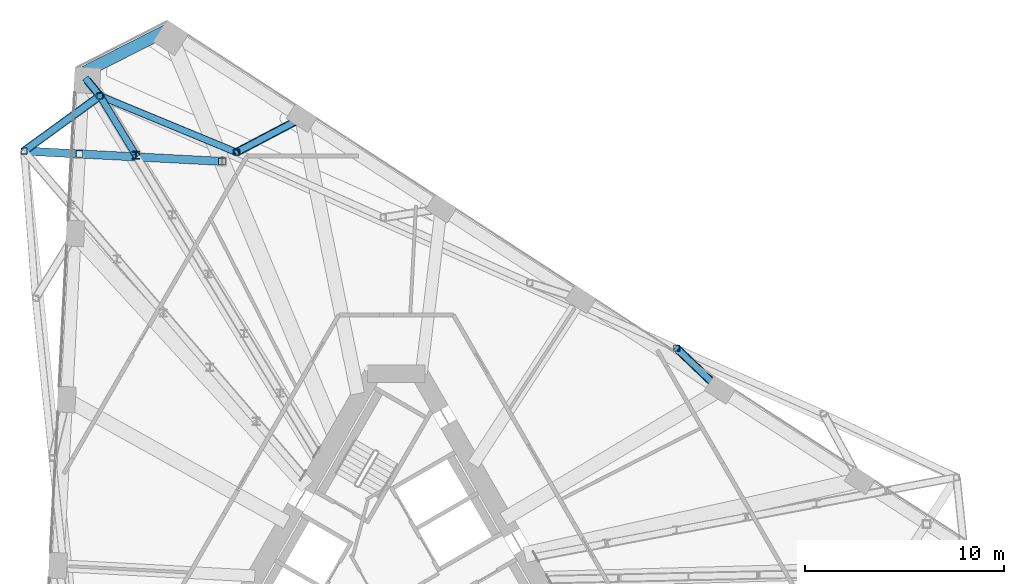
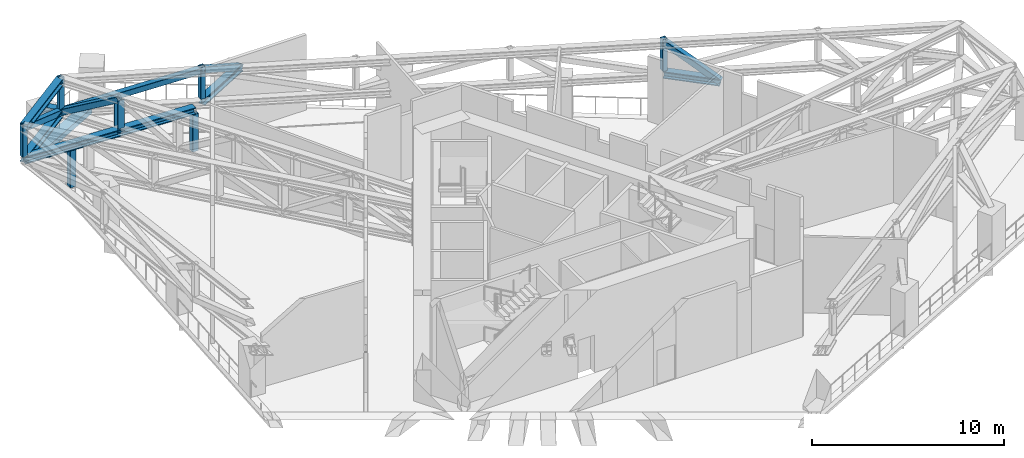
# One storey, part 14 of 26: 19 members, 1 beam.
"""IFC4 building model written with IfcOpenShell, lengths in metres."""

from ifc_helpers import new_model, si_unit, direction, frame, origin, origin_2d, place, context, subcontext, project, spatial, rectangle, hollow_rectangle, i_section, extrude, material, material_profile, profile_set, type_object, element, save


model = new_model("IFC4")

# Units and contexts
model_context = context("Model", 3, precision=1e-05, world=origin(), true_north=direction((0.0, 1.0)))
body_context = subcontext(model_context, "Body", "Model", "MODEL_VIEW")
ifc_project = project(units=[si_unit("LENGTHUNIT", "METRE"), si_unit("AREAUNIT", "SQUARE_METRE"), si_unit("VOLUMEUNIT", "CUBIC_METRE"), si_unit("PLANEANGLEUNIT", "RADIAN"), si_unit("MASSUNIT", "GRAM", prefix="KILO")], contexts=[model_context])

# Site, building, storey
site_placement = place(None, origin())
site = spatial("IfcSite", under=ifc_project, at=site_placement, CompositionType="ELEMENT")
building_placement = place(site_placement, origin())
building = spatial("IfcBuilding", under=site, at=building_placement, Name="Tramontana Tower", CompositionType="ELEMENT")
storey_placement = place(building_placement, frame((0.0, 0.0, 157.60009765625)))
storey = spatial("IfcBuildingStorey", under=building, at=storey_placement, Name="L36", CompositionType="ELEMENT", Elevation=157.60009765625)

# Members
ifc_material_1 = material(Name="Steel ASTM A500 Grade C", Category="steel")
ifc_material_profile_1 = material_profile(ifc_material_1, hollow_rectangle(XDim=0.3046875, YDim=0.3046875, WallThickness=0.01171875, InnerFilletRadius=0.01171875, OuterFilletRadius=0.023681640625, at=origin_2d()), Name="HSS12X12X1/2")
ifc_profile_set_1 = profile_set([ifc_material_profile_1], Name="Steel ASTM A500 Grade C")
member_type_1 = type_object("IfcMemberType", Name="Belt truss HSS12X12X1/2 post", PredefinedType="POST", material=ifc_profile_set_1)
for number, where, z_axis, x_axis, name in (
    (1, (-18.727294921875, 21.760498046875, 2.8349609375), (0.0, 0.0, 1.0), (1.0, 0.0, 0.0), "Belt truss post C4K1"),
    (2, (14.115478515625, 11.83154296875, 2.8349609375), (0.0, 0.0, 1.0), (1.0, 0.0, 0.0), "Belt truss post C4F12"),
    (3, (-8.03662109375, 21.6943359375, 2.8349609375), (0.0, 0.0, 1.0), (1.0, 0.0, 0.0), "Belt truss post C4F15"),
    (4, (-14.908447265625, 24.534912109375, 2.8349609375), (0.0, 0.0, 1.0), (1.0, 0.0, 0.0), "Belt truss post C4K6"),
):
    element("IfcMember", number, at=place(storey_placement, frame(where, z_axis=z_axis, x_axis=x_axis)), inside=storey, type_object=member_type_1, Name=name, PredefinedType="POST", context=body_context, shape_type="SweptSolid", body=[
        extrude(hollow_rectangle(XDim=0.3046875, YDim=0.3046875, WallThickness=0.01171875, InnerFilletRadius=0.01171875, OuterFilletRadius=0.023681640625, at=origin_2d()), origin(), (0.0, 0.0, 1.0), 2.014892578125),
    ])
ifc_material_2 = material(Name="Steel ASTM A500 Grade C", Category="steel")
ifc_material_profile_2 = material_profile(ifc_material_2, hollow_rectangle(XDim=0.355712890625, YDim=0.355712890625, WallThickness=0.01171875, InnerFilletRadius=0.01171875, OuterFilletRadius=0.023681640625, at=origin_2d()), Name="HSS14X14X1/2")
ifc_profile_set_2 = profile_set([ifc_material_profile_2], Name="Steel ASTM A500 Grade C")
member_type_2 = type_object("IfcMemberType", Name="Belt truss HSS14X14X1/2 brace", PredefinedType="BRACE", material=ifc_profile_set_2)
member_1_placement = place(storey_placement, frame((-8.03662109375, 21.6943359375, 4.63232421875), z_axis=(-0.891988773968, 0.36871742584, -0.261540602961), x_axis=(-0.382014401839, -0.924156370311, 0.0)))
element("IfcMember", 5, at=member_1_placement, inside=storey, type_object=member_type_2, Name="Belt truss diagonal S2.6", PredefinedType="BRACE", context=body_context, shape_type="SweptSolid", body=[
    extrude(hollow_rectangle(XDim=0.355712890625, YDim=0.355712890625, WallThickness=0.01171875, InnerFilletRadius=0.01171875, OuterFilletRadius=0.023681640625, at=origin_2d()), origin(), (0.0, 0.0, 1.0), 7.703857421875),
])
member_2_placement = place(storey_placement, frame((-14.908447265625, 24.534912109375, 2.617431640625), z_axis=(-0.744077477212, -0.540576425715, 0.392588634409), x_axis=(0.587765677935, -0.809031215616, 0.0)))
element("IfcMember", 6, at=member_2_placement, inside=storey, type_object=member_type_2, Name="Belt truss diagonal K0.1", PredefinedType="BRACE", context=body_context, shape_type="SweptSolid", body=[
    extrude(hollow_rectangle(XDim=0.355712890625, YDim=0.355712890625, WallThickness=0.01171875, InnerFilletRadius=0.01171875, OuterFilletRadius=0.023681640625, at=origin_2d()), origin(), (0.0, 0.0, 1.0), 5.13232421875),
])
ifc_material_3 = material(Name="Steel ASTM A992 Grade 50", Category="steel")
ifc_material_profile_3 = material_profile(ifc_material_3, i_section(OverallWidth=0.412841796875, OverallDepth=0.43505859375, WebThickness=0.03662109375, FlangeThickness=0.05712890625, FilletRadius=0.01513671875, at=origin_2d()), Name="W14X311")
ifc_profile_set_3 = profile_set([ifc_material_profile_3], Name="Steel ASTM A992 Grade 50")
member_type_3 = type_object("IfcMemberType", Name="Belt truss W14X311 chord", PredefinedType="CHORD", material=ifc_profile_set_3)
for number, where, z_axis, x_axis, name in (
    (7, (-14.908447265625, 24.534912109375, 2.617431640625), (-0.809031215616, -0.587765677935, 0.0), (0.587765677935, -0.809031215616, 0.0), "Belt truss bottom chord K0"),
    (8, (-14.908447265625, 24.534912109375, 4.63232421875), (-0.809031215616, -0.587765677935, 0.0), (0.587765677935, -0.809031215616, 0.0), "Belt truss top chord K0"),
):
    element("IfcMember", number, at=place(storey_placement, frame(where, z_axis=z_axis, x_axis=x_axis)), inside=storey, type_object=member_type_3, Name=name, PredefinedType="CHORD", context=body_context, shape_type="SweptSolid", body=[
        extrude(i_section(OverallWidth=0.412841796875, OverallDepth=0.43505859375, WebThickness=0.03662109375, FlangeThickness=0.05712890625, FilletRadius=0.01513671875, at=origin_2d()), origin(), (0.0, 0.0, 1.0), 4.72021484375),
    ])

# Beam
ifc_material_4 = material(Name="Concrete 40 MPa", Category="concrete")
ifc_material_profile_4 = material_profile(ifc_material_4, rectangle(XDim=0.60009765625, YDim=0.35009765625, at=origin_2d()), Name="RC EDGE BEAM 600X350 40 MPa")
ifc_profile_set_4 = profile_set([ifc_material_profile_4], Name="Concrete 40 MPa")
beam_type = type_object("IfcBeamType", Name="RC EDGE BEAM 600X350 40 MPa", PredefinedType="SPANDREL", material=ifc_profile_set_4)
beam_placement = place(storey_placement, frame((-11.327392578125, 27.9541015625, -0.525146484375), z_axis=(-0.891018699398, -0.453966603753, 0.0), x_axis=(0.453966603753, -0.891018699398, 0.0)))
element("IfcBeam", 9, at=beam_placement, inside=storey, type_object=beam_type, Name="Spandrel beam K0 L36", PredefinedType="SPANDREL", context=body_context, shape_type="SweptSolid", body=[
    extrude(rectangle(XDim=0.60009765625, YDim=0.35009765625, at=origin_2d()), origin(), (0.0, 0.0, 1.0), 5.1962890625),
])

# Members
ifc_material_5 = material(Name="Steel ASTM A500 Grade C", Category="steel")
ifc_material_profile_5 = material_profile(ifc_material_5, hollow_rectangle(XDim=0.355712890625, YDim=0.355712890625, WallThickness=0.01171875, InnerFilletRadius=0.01171875, OuterFilletRadius=0.023681640625, at=origin_2d()), Name="HSS14X14X1/2")
ifc_profile_set_5 = profile_set([ifc_material_profile_5], Name="Steel ASTM A500 Grade C")
member_type_4 = type_object("IfcMemberType", Name="Transfer truss HSS14X14X1/2 brace", PredefinedType="BRACE", material=ifc_profile_set_5)
member_3_placement = place(storey_placement, frame((16.30712890625, 9.73974609375, 2.617431640625), z_axis=(-0.602348715294, 0.574905179084, 0.553768959265), x_axis=(-0.690435497651, -0.723393961533, 0.0)))
element("IfcMember", 10, at=member_3_placement, inside=storey, type_object=member_type_4, Name="Transfer truss strut C4F12 diagonal", PredefinedType="BRACE", context=body_context, shape_type="SweptSolid", body=[
    extrude(hollow_rectangle(XDim=0.355712890625, YDim=0.355712890625, WallThickness=0.01171875, InnerFilletRadius=0.01171875, OuterFilletRadius=0.023681640625, at=origin_2d()), origin(), (0.0, 0.0, 1.0), 3.638427734375),
])
member_4_placement = place(storey_placement, frame((-4.755859375, 23.418212890625, 2.617431640625), z_axis=(-0.777725625428, -0.408656097719, 0.477643219725), x_axis=(0.465146302197, -0.885233820836, 0.0)))
element("IfcMember", 11, at=member_4_placement, inside=storey, type_object=member_type_4, Name="Transfer truss strut C4F15 diagonal", PredefinedType="BRACE", context=body_context, shape_type="SweptSolid", body=[
    extrude(hollow_rectangle(XDim=0.355712890625, YDim=0.355712890625, WallThickness=0.01171875, InnerFilletRadius=0.01171875, OuterFilletRadius=0.023681640625, at=origin_2d()), origin(), (0.0, 0.0, 1.0), 4.218505859375),
])
member_5_placement = place(storey_placement, frame((-15.54638671875, 25.31298828125, 2.617431640625), z_axis=(0.283258486579, -0.34548212657, 0.894654531091), x_axis=(0.773308239357, 0.634030257119, 0.0)))
element("IfcMember", 12, at=member_5_placement, inside=storey, type_object=member_type_4, Name="Transfer truss strut C4K6 diagonal", PredefinedType="BRACE", context=body_context, shape_type="SweptSolid", body=[
    extrude(hollow_rectangle(XDim=0.355712890625, YDim=0.355712890625, WallThickness=0.01171875, InnerFilletRadius=0.01171875, OuterFilletRadius=0.023681640625, at=origin_2d()), origin(), (0.0, 0.0, 1.0), 2.252197265625),
])
member_6_placement = place(storey_placement, frame((-13.095458984375, 21.54541015625, 4.63232421875), z_axis=(-0.449279472821, 0.740833173269, -0.49931369367), x_axis=(-0.855049604548, -0.51854621179, 0.0)))
element("IfcMember", 13, at=member_6_placement, inside=storey, type_object=member_type_4, Name="Transfer truss diagonal 5.6", PredefinedType="BRACE", context=body_context, shape_type="SweptSolid", body=[
    extrude(hollow_rectangle(XDim=0.355712890625, YDim=0.355712890625, WallThickness=0.01171875, InnerFilletRadius=0.01171875, OuterFilletRadius=0.023681640625, at=origin_2d()), origin(), (0.0, 0.0, 1.0), 4.035400390625),
])
ifc_material_6 = material(Name="Steel ASTM A500 Grade C", Category="steel")
ifc_material_profile_6 = material_profile(ifc_material_6, hollow_rectangle(XDim=0.355712890625, YDim=0.355712890625, WallThickness=0.01171875, InnerFilletRadius=0.01171875, OuterFilletRadius=0.023681640625, at=origin_2d()), Name="HSS14X14X1/2")
ifc_profile_set_6 = profile_set([ifc_material_profile_6], Name="Steel ASTM A500 Grade C")
member_type_5 = type_object("IfcMemberType", Name="Transfer truss HSS14X14X1/2 post", PredefinedType="POST", material=ifc_profile_set_6)
for number, where, z_axis, x_axis, name in (
    (14, (-15.940673828125, 21.614501953125, 0.039794921875), (0.0, 0.0, 1.0), (1.0, 0.0, 0.0), "Transfer truss post C4K1.1"),
    (15, (-8.772705078125, 21.23876953125, 0.039794921875), (0.0, 0.0, 1.0), (1.0, 0.0, 0.0), "Transfer truss post C4K1.2"),
):
    element("IfcMember", number, at=place(storey_placement, frame(where, z_axis=z_axis, x_axis=x_axis)), inside=storey, type_object=member_type_5, Name=name, PredefinedType="POST", context=body_context, shape_type="SweptSolid", body=[
        extrude(hollow_rectangle(XDim=0.355712890625, YDim=0.355712890625, WallThickness=0.01171875, InnerFilletRadius=0.01171875, OuterFilletRadius=0.023681640625, at=origin_2d()), origin(), (0.0, 0.0, 1.0), 2.360107421875),
    ])
ifc_material_7 = material(Name="Steel ASTM A992 Grade 50", Category="steel")
ifc_material_profile_7 = material_profile(ifc_material_7, i_section(OverallWidth=0.39697265625, OverallDepth=0.387451171875, WebThickness=0.020751953125, FlangeThickness=0.033447265625, FilletRadius=0.01513671875, at=origin_2d()), Name="W14X176")
ifc_profile_set_7 = profile_set([ifc_material_profile_7], Name="Steel ASTM A992 Grade 50")
member_type_6 = type_object("IfcMemberType", Name="Transfer truss W14X176 post", PredefinedType="POST", material=ifc_profile_set_7)
member_7_placement = place(storey_placement, frame((-13.095458984375, 21.54541015625, 2.617431640625), z_axis=(0.0, 0.0, 1.0), x_axis=(1.0, 0.0, 0.0)))
element("IfcMember", 16, at=member_7_placement, inside=storey, type_object=member_type_6, Name="Transfer truss post 5.5", PredefinedType="POST", context=body_context, shape_type="SweptSolid", body=[
    extrude(i_section(OverallWidth=0.39697265625, OverallDepth=0.387451171875, WebThickness=0.020751953125, FlangeThickness=0.033447265625, FilletRadius=0.01513671875, at=origin_2d()), origin(), (0.0, 0.0, 1.0), 2.014892578125),
])
ifc_material_8 = material(Name="Steel ASTM A992 Grade 50", Category="steel")
ifc_material_profile_8 = material_profile(ifc_material_8, i_section(OverallWidth=0.412841796875, OverallDepth=0.43505859375, WebThickness=0.03662109375, FlangeThickness=0.05712890625, FilletRadius=0.01513671875, at=origin_2d()), Name="W14X311")
ifc_profile_set_8 = profile_set([ifc_material_profile_8], Name="Steel ASTM A992 Grade 50")
member_type_7 = type_object("IfcMemberType", Name="Transfer truss W14X311 chord", PredefinedType="CHORD", material=ifc_profile_set_8)
member_8_placement = place(storey_placement, frame((-18.727294921875, 21.760498046875, 2.617431640625), z_axis=(0.998629374479, -0.052339014403, 0.0), x_axis=(0.052339014403, 0.998629374479, 0.0)))
element("IfcMember", 17, at=member_8_placement, inside=storey, type_object=member_type_7, Name="Transfer truss girder C4K1", PredefinedType="CHORD", context=body_context, shape_type="SweptSolid", body=[
    extrude(i_section(OverallWidth=0.412841796875, OverallDepth=0.43505859375, WebThickness=0.03662109375, FlangeThickness=0.05712890625, FilletRadius=0.01513671875, at=origin_2d()), origin(), (0.0, 0.0, 1.0), 9.96826171875),
])
ifc_material_9 = material(Name="Steel ASTM A992 Grade 50", Category="steel")
ifc_material_profile_9 = material_profile(ifc_material_9, i_section(OverallWidth=0.412841796875, OverallDepth=0.43505859375, WebThickness=0.03662109375, FlangeThickness=0.05712890625, FilletRadius=0.01513671875, at=origin_2d()), Name="W14X311")
ifc_profile_set_9 = profile_set([ifc_material_profile_9], Name="Steel ASTM A992 Grade 50")
member_type_8 = type_object("IfcMemberType", Name="Transfer truss W14X311 strut", PredefinedType="STRUT", material=ifc_profile_set_9)
member_9_placement = place(storey_placement, frame((16.30712890625, 9.73974609375, 2.617431640625), z_axis=(-0.723393961533, 0.690435497651, 0.0), x_axis=(-0.690435497651, -0.723393961533, 0.0)))
element("IfcMember", 18, at=member_9_placement, inside=storey, type_object=member_type_8, Name="Transfer truss strut C4F12 bottom", PredefinedType="STRUT", context=body_context, shape_type="SweptSolid", body=[
    extrude(i_section(OverallWidth=0.412841796875, OverallDepth=0.43505859375, WebThickness=0.03662109375, FlangeThickness=0.05712890625, FilletRadius=0.01513671875, at=origin_2d()), origin(), (0.0, 0.0, 1.0), 3.02978515625),
])
member_10_placement = place(storey_placement, frame((-4.755859375, 23.418212890625, 2.617431640625), z_axis=(-0.885233820836, -0.465146302197, 0.0), x_axis=(0.465146302197, -0.885233820836, 0.0)))
element("IfcMember", 19, at=member_10_placement, inside=storey, type_object=member_type_8, Name="Transfer truss strut C4F15 bottom", PredefinedType="STRUT", context=body_context, shape_type="SweptSolid", body=[
    extrude(i_section(OverallWidth=0.412841796875, OverallDepth=0.43505859375, WebThickness=0.03662109375, FlangeThickness=0.05712890625, FilletRadius=0.01513671875, at=origin_2d()), origin(), (0.0, 0.0, 1.0), 3.7060546875),
])
member_11_placement = place(storey_placement, frame((-15.54638671875, 25.31298828125, 2.617431640625), z_axis=(0.634030257119, -0.773308239357, 0.0), x_axis=(0.773308239357, 0.634030257119, 0.0)))
element("IfcMember", 20, at=member_11_placement, inside=storey, type_object=member_type_8, Name="Transfer truss strut C4K6 bottom", PredefinedType="STRUT", context=body_context, shape_type="SweptSolid", body=[
    extrude(i_section(OverallWidth=0.412841796875, OverallDepth=0.43505859375, WebThickness=0.03662109375, FlangeThickness=0.05712890625, FilletRadius=0.01513671875, at=origin_2d()), origin(), (0.0, 0.0, 1.0), 1.006103515625),
])

save(model, "model.ifc")
